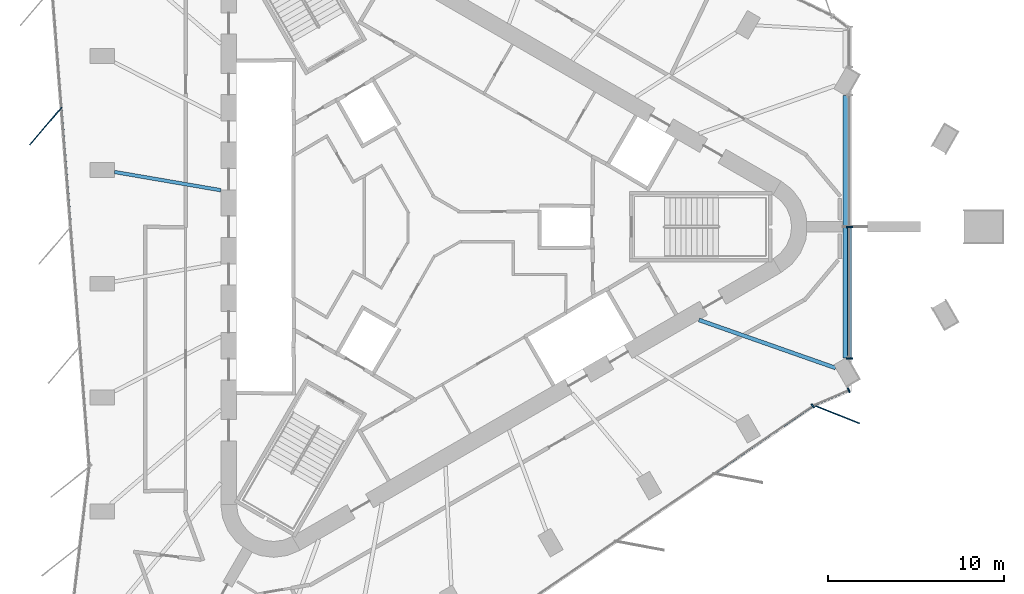
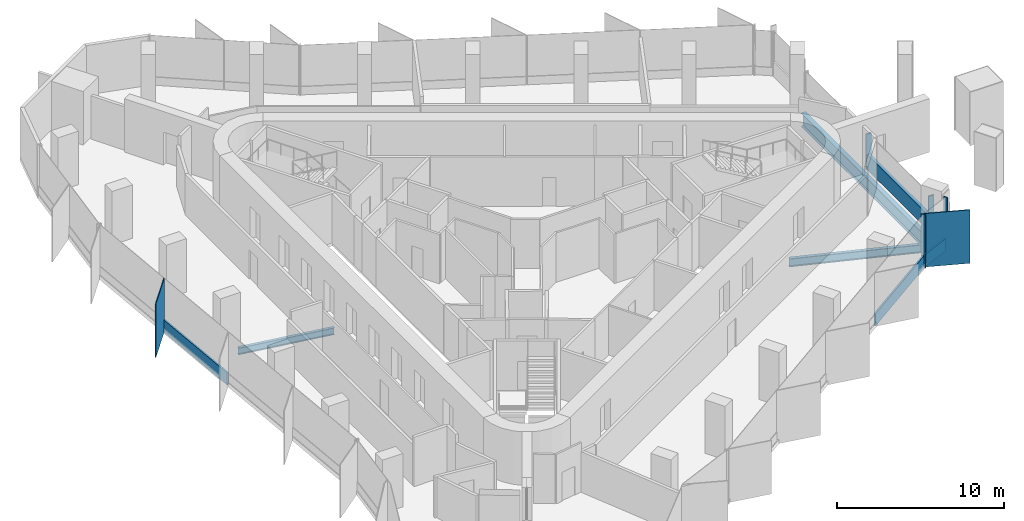
# One storey, part 3 of 12: 10 members, 3 beams, 4 elements without a shape of their own.
"""IFC4 building model written with IfcOpenShell, lengths in metres."""

from ifc_helpers import new_model, si_unit, direction, frame, origin, origin_2d, place, context, subcontext, project, spatial, rectangle, i_section, extrude, material, material_profile, profile_set, type_object, element, aggregate, save


model = new_model("IFC4")

# Units and contexts
model_context = context("Model", 3, precision=1e-05, world=origin(), true_north=direction((0.0, 1.0)))
body_context = subcontext(model_context, "Body", "Model", "MODEL_VIEW")
ifc_project = project(units=[si_unit("LENGTHUNIT", "METRE"), si_unit("AREAUNIT", "SQUARE_METRE"), si_unit("VOLUMEUNIT", "CUBIC_METRE"), si_unit("PLANEANGLEUNIT", "RADIAN"), si_unit("MASSUNIT", "GRAM", prefix="KILO")], contexts=[model_context])

# Site, building, storey
site_placement = place(None, origin())
site = spatial("IfcSite", under=ifc_project, at=site_placement, CompositionType="ELEMENT")
building_placement = place(site_placement, origin())
building = spatial("IfcBuilding", under=site, at=building_placement, Name="Tanit Gate Tower", CompositionType="ELEMENT")
storey_placement = place(building_placement, frame((0.0, 0.0, 384.5)))
storey = spatial("IfcBuildingStorey", under=building, at=storey_placement, Name="L88", CompositionType="ELEMENT", Elevation=384.5)

# Beam
ifc_material_1 = material(Name="Steel S355", Category="steel")
ifc_material_profile_1 = material_profile(ifc_material_1, i_section(OverallWidth=0.300048828125, OverallDepth=0.989990234375, WebThickness=0.0166015625, FlangeThickness=0.031005859375, FilletRadius=0.030029296875, at=origin_2d()), Name="HEA 1000")
ifc_profile_set_1 = profile_set([ifc_material_profile_1], Name="Steel S355")
beam_type_1 = type_object("IfcBeamType", Name="EDGE BEAM HEA 1000 S355", PredefinedType="BEAM", material=ifc_profile_set_1)
beam_1_placement = place(storey_placement, frame((23.3798828125, 7.443115234375, -0.794921875), z_axis=(0.0, -1.0, 0.0), x_axis=(1.0, 0.0, 0.0)))
element("IfcBeam", 1, at=beam_1_placement, inside=storey, type_object=beam_type_1, Name="EDGE BEAM", PredefinedType="BEAM", context=body_context, shape_type="SweptSolid", body=[
    extrude(i_section(OverallWidth=0.300048828125, OverallDepth=0.989990234375, WebThickness=0.0166015625, FlangeThickness=0.031005859375, FilletRadius=0.030029296875, at=origin_2d()), origin(), (0.0, 0.0, 1.0), 14.88623046875),
])

# Curtain wall, member
ifc_material_2 = material(Name="Aluminium bronze anodised and glass", Category="aluminium")
curtain_wall_type_1 = type_object("IfcCurtainWallType", Name="Curtain wall typical high", PredefinedType="NOTDEFINED", material=ifc_material_2)
curtain_wall_1_placement = place(storey_placement, origin())
curtain_wall_1 = element("IfcCurtainWall", 2, at=curtain_wall_1_placement, inside=storey, type_object=curtain_wall_type_1, Name="Curtain wall L88 W2", PredefinedType="NOTDEFINED")
ifc_material_3 = material(Name="Aluminium bronze anodised", Category="aluminium")
ifc_material_profile_2 = material_profile(ifc_material_3, rectangle(XDim=2.800048828125, YDim=0.055908203125, at=origin_2d()), Name="56x2800 bronze fin mullion")
ifc_profile_set_2 = profile_set([ifc_material_profile_2], Name="Aluminium bronze anodised")
member_type_1 = type_object("IfcMemberType", Name="FIN MULLION 56x2800 bronze", PredefinedType="MULLION", material=ifc_profile_set_2)
member_1_placement = place(storey_placement, frame((-22.038818359375, 5.7158203125, -0.300048828125), z_axis=(0.0, 0.0, 1.0), x_axis=(0.649921223903, 0.760001580735, 0.0)))
member_1 = element("IfcMember", 3, at=member_1_placement, type_object=member_type_1, Name="Fin mullion L88 W2.2", PredefinedType="MULLION", context=body_context, shape_type="SweptSolid", body=[
    extrude(rectangle(XDim=2.800048828125, YDim=0.055908203125, at=origin_2d()), origin(), (0.0, 0.0, 1.0), 3.900146484375),
])

curtain_wall_2_placement = place(storey_placement, origin())
curtain_wall_2 = element("IfcCurtainWall", 4, at=curtain_wall_2_placement, inside=storey, type_object=curtain_wall_type_1, Name="Curtain wall L88 SE3c", PredefinedType="NOTDEFINED")
member_2_placement = place(storey_placement, frame((22.853759765625, -10.6396484375, -0.300048828125), z_axis=(0.0, 0.0, 1.0), x_axis=(-0.929263752337, 0.369416944107, 0.0)))
member_2 = element("IfcMember", 5, at=member_2_placement, type_object=member_type_1, Name="Fin mullion L88 SE3c.1", PredefinedType="MULLION", context=body_context, shape_type="SweptSolid", body=[
    extrude(rectangle(XDim=2.800048828125, YDim=0.055908203125, at=origin_2d()), origin(), (0.0, 0.0, 1.0), 3.900146484375),
])

curtain_wall_3_placement = place(storey_placement, origin())
curtain_wall_3 = element("IfcCurtainWall", 6, at=curtain_wall_3_placement, inside=storey, type_object=curtain_wall_type_1, Name="Curtain wall L88 SE2", PredefinedType="NOTDEFINED")
ifc_material_4 = material(Name="Aluminium bronze anodised", Category="aluminium")
ifc_material_profile_3 = material_profile(ifc_material_4, rectangle(XDim=0.280029296875, YDim=0.080078125, at=origin_2d()), Name="80x280 bronze mullion")
ifc_profile_set_3 = profile_set([ifc_material_profile_3], Name="Aluminium bronze anodised")
member_type_2 = type_object("IfcMemberType", Name="Mullion 80x280 typical high", PredefinedType="MULLION", material=ifc_profile_set_3)
member_3_placement = place(storey_placement, frame((21.50146484375, -10.168212890625, -0.300048828125), z_axis=(0.0, 0.0, 1.0), x_axis=(-0.56589316429, 0.824478578624, 0.0)))
member_3 = element("IfcMember", 7, at=member_3_placement, type_object=member_type_2, Name="Mullion L88 SE2.5", PredefinedType="MULLION", context=body_context, shape_type="SweptSolid", body=[
    extrude(rectangle(XDim=0.280029296875, YDim=0.080078125, at=origin_2d()), origin(), (0.0, 0.0, 1.0), 3.900146484375),
])

# Member
member_4_placement = place(storey_placement, frame((23.543701171875, -9.279541015625, -0.300048828125), z_axis=(0.0, 0.0, 1.0), x_axis=(-0.395871474525, 0.918305927051, 0.0)))
member_4 = element("IfcMember", 8, at=member_4_placement, type_object=member_type_2, Name="Mullion L88 SE3c.2", PredefinedType="MULLION", context=body_context, shape_type="SweptSolid", body=[
    extrude(rectangle(XDim=0.280029296875, YDim=0.080078125, at=origin_2d()), origin(), (0.0, 0.0, 1.0), 3.900146484375),
])

# Curtain wall, members
ifc_material_5 = material(Name="Aluminium bronze anodised and glass", Category="aluminium")
curtain_wall_type_2 = type_object("IfcCurtainWallType", Name="Curtain wall portal glazing", PredefinedType="NOTDEFINED", material=ifc_material_5)
curtain_wall_4_placement = place(storey_placement, origin())
curtain_wall_4 = element("IfcCurtainWall", 9, at=curtain_wall_4_placement, inside=storey, type_object=curtain_wall_type_2, Name="Curtain wall L88 NOTCH2", PredefinedType="NOTDEFINED")
ifc_material_6 = material(Name="Aluminium bronze anodised", Category="aluminium")
ifc_material_profile_4 = material_profile(ifc_material_6, rectangle(XDim=0.360107421875, YDim=0.080078125, at=origin_2d()), Name="80x360 bronze mullion")
ifc_profile_set_4 = profile_set([ifc_material_profile_4], Name="Aluminium bronze anodised")
member_type_3 = type_object("IfcMemberType", Name="Mullion 80x360 portal glazing", PredefinedType="MULLION", material=ifc_profile_set_4)
member_5_placement = place(storey_placement, frame((23.580078125, 0.0, 0.0), z_axis=(0.0, 0.0, 1.0), x_axis=(1.0, 0.0, 0.0)))
member_5 = element("IfcMember", 10, at=member_5_placement, type_object=member_type_3, Name="Mullion L88 NOTCH2.2", PredefinedType="MULLION", context=body_context, shape_type="SweptSolid", body=[
    extrude(rectangle(XDim=0.360107421875, YDim=0.080078125, at=origin_2d()), origin(), (0.0, 0.0, 1.0), 2.610107421875),
])
member_6_placement = place(storey_placement, frame((23.580078125, -7.472412109375, 0.0), z_axis=(0.0, 0.0, 1.0), x_axis=(1.0, 0.0, 0.0)))
member_6 = element("IfcMember", 11, at=member_6_placement, type_object=member_type_3, Name="Mullion L88 NOTCH2.3", PredefinedType="MULLION", context=body_context, shape_type="SweptSolid", body=[
    extrude(rectangle(XDim=0.360107421875, YDim=0.080078125, at=origin_2d()), origin(), (0.0, 0.0, 1.0), 2.610107421875),
])

# Beams
ifc_material_7 = material(Name="Steel S355", Category="steel")
ifc_material_profile_5 = material_profile(ifc_material_7, i_section(OverallWidth=0.199951171875, OverallDepth=0.5, WebThickness=0.01025390625, FlangeThickness=0.01611328125, FilletRadius=0.02099609375, at=origin_2d()), Name="IPE 500")
ifc_profile_set_5 = profile_set([ifc_material_profile_5], Name="Steel S355")
beam_type_2 = type_object("IfcBeamType", Name="RADIAL GIRDER IPE 500 S355", PredefinedType="BEAM", material=ifc_profile_set_5)
beam_2_placement = place(storey_placement, frame((-18.134033203125, 3.11181640625, -0.550048828125), z_axis=(0.985592249699, -0.169138751719, 0.0), x_axis=(0.169138751719, 0.985592249699, 0.0)))
element("IfcBeam", 12, at=beam_2_placement, inside=storey, type_object=beam_type_2, Name="RADIAL GIRDER", PredefinedType="BEAM", context=body_context, shape_type="SweptSolid", body=[
    extrude(i_section(OverallWidth=0.199951171875, OverallDepth=0.5, WebThickness=0.01025390625, FlangeThickness=0.01611328125, FilletRadius=0.02099609375, at=origin_2d()), origin(), (0.0, 0.0, 1.0), 6.1201171875),
])
ifc_material_8 = material(Name="Steel S355", Category="steel")
ifc_material_profile_6 = material_profile(ifc_material_8, i_section(OverallWidth=0.219970703125, OverallDepth=0.60009765625, WebThickness=0.011962890625, FlangeThickness=0.01904296875, FilletRadius=0.02392578125, at=origin_2d()), Name="IPE 600")
ifc_profile_set_6 = profile_set([ifc_material_profile_6], Name="Steel S355")
beam_type_3 = type_object("IfcBeamType", Name="RADIAL GIRDER IPE 600 S355", PredefinedType="BEAM", material=ifc_profile_set_6)
beam_3_placement = place(storey_placement, frame((22.7958984375, -8.014404296875, -0.60009765625), z_axis=(-0.943393322565, 0.331676105471, 0.0), x_axis=(-0.331676105471, -0.943393322565, 0.0)))
element("IfcBeam", 13, at=beam_3_placement, inside=storey, type_object=beam_type_3, Name="RADIAL GIRDER", PredefinedType="BEAM", context=body_context, shape_type="SweptSolid", body=[
    extrude(i_section(OverallWidth=0.219970703125, OverallDepth=0.60009765625, WebThickness=0.011962890625, FlangeThickness=0.01904296875, FilletRadius=0.02392578125, at=origin_2d()), origin(), (0.0, 0.0, 1.0), 8.217529296875),
])

# Member
ifc_material_9 = material(Name="Aluminium bronze anodised", Category="aluminium")
ifc_material_profile_7 = material_profile(ifc_material_9, rectangle(XDim=0.1201171875, YDim=0.89990234375, at=origin_2d()), Name="120x900 bronze transom")
ifc_profile_set_7 = profile_set([ifc_material_profile_7], Name="Aluminium bronze anodised")
member_type_4 = type_object("IfcMemberType", Name="Transom 120x900 typical high", PredefinedType="USERDEFINED", material=ifc_profile_set_7)
member_7_placement = place(storey_placement, frame((-21.138671875, 6.72509765625, 0.14990234375), z_axis=(0.077851491829, -0.996964966897, 0.0), x_axis=(0.996964966897, 0.077851491829, 0.0)))
member_7 = element("IfcMember", 14, at=member_7_placement, type_object=member_type_4, Name="Transom L88 W2.2", ObjectType="TRANSOM", PredefinedType="USERDEFINED", context=body_context, shape_type="SweptSolid", body=[
    extrude(rectangle(XDim=0.1201171875, YDim=0.89990234375, at=origin_2d()), origin(), (0.0, 0.0, 1.0), 6.707763671875),
])

aggregate(curtain_wall_1, [member_1, member_7])

member_8_placement = place(storey_placement, frame((15.93798828125, -13.98681640625, 0.14990234375), z_axis=(0.824482387079, 0.565887615517, 0.0), x_axis=(-0.565887615517, 0.824482387079, 0.0)))
member_8 = element("IfcMember", 15, at=member_8_placement, type_object=member_type_4, Name="Transom L88 SE2.4", ObjectType="TRANSOM", PredefinedType="USERDEFINED", context=body_context, shape_type="SweptSolid", body=[
    extrude(rectangle(XDim=0.1201171875, YDim=0.89990234375, at=origin_2d()), origin(), (0.0, 0.0, 1.0), 6.707763671875),
])

aggregate(curtain_wall_3, [member_3, member_8])

member_9_placement = place(storey_placement, frame((21.60791015625, -10.114013671875, 0.14990234375), z_axis=(0.918324826223, 0.3958276311, 0.0), x_axis=(-0.3958276311, 0.918324826223, 0.0)))
member_9 = element("IfcMember", 16, at=member_9_placement, type_object=member_type_4, Name="Transom L88 SE3c.1", ObjectType="TRANSOM", PredefinedType="USERDEFINED", context=body_context, shape_type="SweptSolid", body=[
    extrude(rectangle(XDim=0.1201171875, YDim=0.89990234375, at=origin_2d()), origin(), (0.0, 0.0, 1.0), 2.068115234375),
])

aggregate(curtain_wall_2, [member_2, member_4, member_9])

ifc_material_10 = material(Name="Aluminium bronze anodised", Category="aluminium")
ifc_material_profile_8 = material_profile(ifc_material_10, rectangle(XDim=0.219970703125, YDim=1.10009765625, at=origin_2d()), Name="220x1100 bronze transom")
ifc_profile_set_8 = profile_set([ifc_material_profile_8], Name="Aluminium bronze anodised")
member_type_5 = type_object("IfcMemberType", Name="Transom 220x1100 portal glazing", PredefinedType="USERDEFINED", material=ifc_profile_set_8)
member_10_placement = place(storey_placement, frame((23.580078125, -0.0400390625, 0.550048828125), z_axis=(0.0, -1.0, 0.0), x_axis=(1.0, 0.0, 0.0)))
member_10 = element("IfcMember", 17, at=member_10_placement, type_object=member_type_5, Name="Transom L88 NOTCH2.2", ObjectType="TRANSOM", PredefinedType="USERDEFINED", context=body_context, shape_type="SweptSolid", body=[
    extrude(rectangle(XDim=0.219970703125, YDim=1.10009765625, at=origin_2d()), origin(), (0.0, 0.0, 1.0), 7.392333984375),
])

aggregate(curtain_wall_4, [member_5, member_6, member_10])

save(model, "model.ifc")
